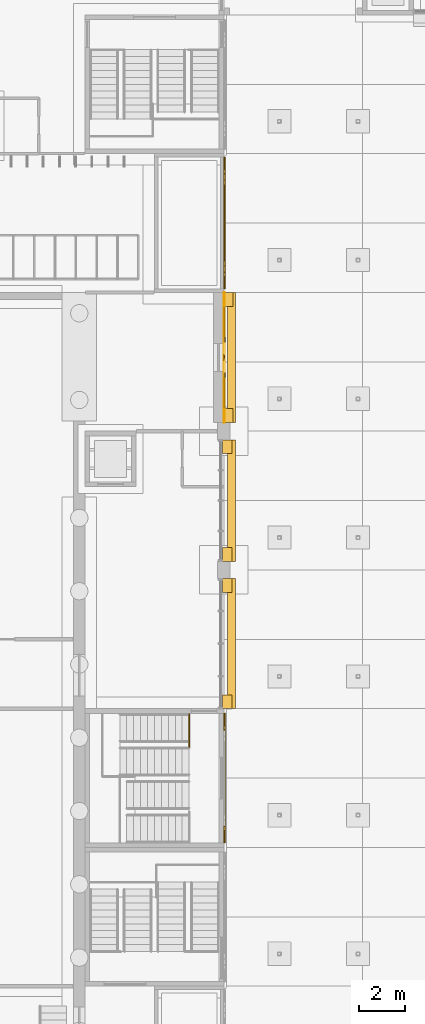
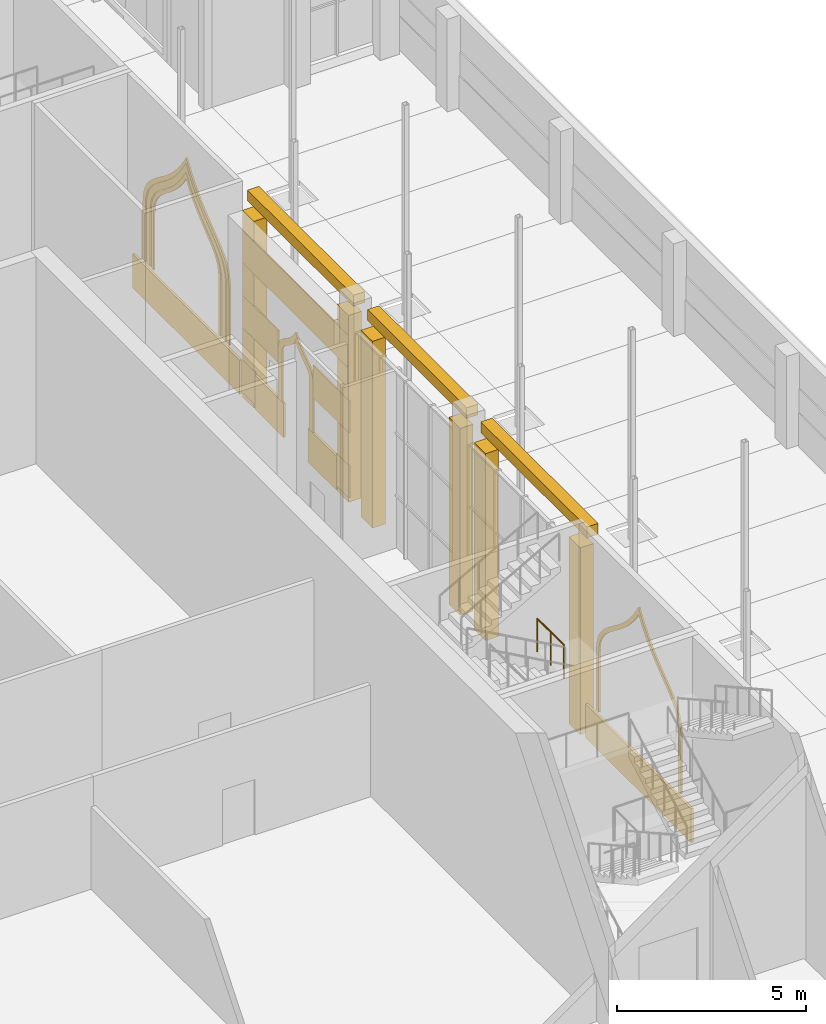
# One storey, part 81 of 95: 23 coverings, 1 railing.
"""IFC4 building model written with IfcOpenShell, lengths in metres."""

from ifc_helpers import new_model, si_unit, direction, frame, origin, origin_2d, place, context, subcontext, project, spatial, polyline, rectangle, circle, outline, extrude, material, layer, layer_set, type_object, element, save


model = new_model("IFC4")

# Units and contexts
model_context = context("Model", 3, precision=1e-05, world=origin(), true_north=direction((0.0, 1.0)))
body_context = subcontext(model_context, "Body", "Model", "MODEL_VIEW")
ifc_project = project(units=[si_unit("LENGTHUNIT", "METRE"), si_unit("AREAUNIT", "SQUARE_METRE"), si_unit("VOLUMEUNIT", "CUBIC_METRE"), si_unit("PLANEANGLEUNIT", "RADIAN"), si_unit("MASSUNIT", "GRAM", prefix="KILO")], contexts=[model_context])

# Site, building, storey
site_placement = place(None, origin())
site = spatial("IfcSite", under=ifc_project, at=site_placement, CompositionType="ELEMENT")
building_placement = place(site_placement, origin())
building = spatial("IfcBuilding", under=site, at=building_placement, Name="Saffron Lane Theatres", CompositionType="ELEMENT")
storey_placement = place(building_placement, origin())
storey = spatial("IfcBuildingStorey", under=building, at=storey_placement, Name="L00", CompositionType="ELEMENT", Elevation=0.0)

# Coverings
ifc_material_1 = material(Name="Masonry sandstone", Category="masonry")
ifc_layer_1 = layer(ifc_material_1, 0.050048828125)
ifc_layer_set_1 = layer_set([ifc_layer_1], Name="Masonry sandstone")
covering_type_1 = type_object("IfcCoveringType", Name="EX-ARCH FRAME RING SANDSTONE 50", PredefinedType="CLADDING", material=ifc_layer_set_1)
covering_1_placement = place(storey_placement, frame((54.0, 66.75, 3.12890625), z_axis=(-1.0, 0.0, 0.0), x_axis=(0.0, 0.063067105822, 0.998009288616)))
element("IfcCovering", 1, at=covering_1_placement, inside=storey, type_object=covering_type_1, Name="Arch recess ring L00", PredefinedType="CLADDING", context=body_context, shape_type="SweptSolid", body=[
    extrude(outline(polyline([(0.0, 0.0), (0.22065410238359984, 0.0), (0.4187134265220611, 0.029560004583244877), (0.5977096136465027, 0.08649981821842359), (0.7591480818830546, 0.16754415025789063), (0.9059345880561891, 0.2683507081522934), (1.0436269965020135, 0.3878343914866551), (1.1763647343450248, 0.5218195761099406), (1.3079077001851873, 0.667867014636728), (1.443005808311013, 0.823719525322545), (1.5854805462929957, 0.9879124792278838), (1.74149756436062, 1.1573653473180439), (1.9128829214646568, 1.3300057147601387), (2.1051636874559483, 1.5042611719162358), (2.322602467400049, 1.6779053315271268), (2.5687309025280785, 1.848757998061501), (2.939299582482729, 2.0687451567247677), (2.5993714153662166, 2.333630674903618), (2.376708378009706, 2.5341076362624033), (2.1828581737781825, 2.733742341436499), (2.0140428055584096, 2.9308165121735614), (1.8657533124027184, 3.1236580619491425), (1.7323086520339435, 3.311402854286392), (1.6116364096191989, 3.4922248302345396), (1.4972321955910908, 3.6638441173757603), (1.3851205499528025, 3.825288798534778), (1.2703052025337076, 3.97491758167241), (1.1487491043664604, 4.110783931167464), (1.0158201165623333, 4.229266523603667), (0.8658679913294249, 4.329988531727124), (0.6954634655937679, 4.409007991296922), (0.5027007929207938, 4.463265173062263), (0.2838019761972683, 4.491041798770807), (-1.59136391374089, 4.609538978068451), (-1.6001865337691579, 4.469924885691299), (0.27108088238534517, 4.35167406227577), (0.47394468647918964, 4.32564461841539), (0.6469894341356787, 4.276792138941024), (0.7970093612615814, 4.208112062862302), (0.9298059868044842, 4.1185038925216135), (1.0502089125366965, 4.010842590258167), (1.1633656797845302, 3.885292123199643), (1.2717436291480344, 3.7421858281426754), (1.3819241364077643, 3.585021850562481), (1.4954153209604875, 3.414438770837703), (1.618203468665377, 3.2322599466484734), (1.7523763915979502, 3.0405550915570396), (1.9052310321305657, 2.842532504699245), (2.0797528345714937, 2.638982037609416), (2.279081215655327, 2.4331300879366635), (2.509399924124821, 2.2260536522840537), (2.691990151832101, 2.0843733579964816), (2.493017257964128, 1.9668051456709819), (2.238463289591504, 1.7903692228565102), (2.0148072651487468, 1.6112468863933098), (1.816050202804688, 1.4312849950160573), (1.639483808618438, 1.2540794801970379), (1.4822458162227838, 1.080789727293752), (1.3375012005243339, 0.9155170755147108), (1.203439299814951, 0.7605775943042786), (1.0743509786028422, 0.6185337089889347), (0.9488205009470336, 0.4902087668589081), (0.820759202831201, 0.3799015700062919), (0.6877613326258244, 0.28825340008036515), (0.5447409379751207, 0.21607490839936183), (0.3872687454152185, 0.16682615252251398), (0.2094508525427381, 0.1401457024385599), (0.004924146244612728, 0.13986044825926805), (-1.8663432699098903, 0.2581112716747965), (-1.8751658899381582, 0.11849717929764414), (0.0, 0.0)])), origin(), (0.0, 0.0, -1.0), 0.050048828125),
])
covering_2_placement = place(storey_placement, frame((54.0, 91.159912109375, 3.06396484375), z_axis=(-1.0, 0.0, 0.0), x_axis=(0.0, 0.065135536954, 0.99787642613)))
element("IfcCovering", 2, at=covering_2_placement, inside=storey, type_object=covering_type_1, Name="Arch recess ring L00", PredefinedType="CLADDING", context=body_context, shape_type="SweptSolid", body=[
    extrude(outline(polyline([(0.0, 0.0), (0.18740969708573668, 0.0), (0.3572321631047603, 0.02292274751170524), (0.5096633135393143, 0.0680214737813698), (0.6479866409846596, 0.1331245701843867), (0.7746911625902068, 0.21513364609086122), (0.8923772111202771, 0.31265566609133544), (1.0056627943706078, 0.421474630782208), (1.1186258803823106, 0.5403457135441597), (1.2340627174019505, 0.6671291102139867), (1.3560512734706387, 0.8005799941723697), (1.489241360845516, 0.9369696103644035), (1.6356932725362778, 1.0778760961649128), (1.8002845407437116, 1.219311172113942), (1.9859068270985913, 1.3605967670943766), (2.197289455011565, 1.499222236923052), (2.5188026636036778, 1.6795910623433596), (2.223464526746356, 1.9002243359000532), (2.031896078287544, 2.0651520953091325), (1.8662151892324383, 2.2293687069612367), (1.721406296017763, 2.390999615901266), (1.5945141280899375, 2.5497484045489407), (1.4801840863271272, 2.702294687133774), (1.3765785089494589, 2.850471036721815), (1.2786023212401476, 2.991184787486221), (1.1820503373124693, 3.1237317886515266), (1.0838718732286343, 3.2463538895913655), (0.9798617431019176, 3.3583469395302727), (0.8648930677541324, 3.4561310282927087), (0.736206492113941, 3.538662969544651), (0.5909313454950954, 3.603194221731639), (0.4255296996111094, 3.6479984386887105), (0.23971022559553018, 3.6723606561235225), (-1.5704025298109825, 3.790514230236219), (-1.578226427316157, 3.670652120456945), (0.22798837330078578, 3.5527529820354737), (0.4029243606242076, 3.5303244758539734), (0.5504887923748518, 3.4896204900609957), (0.6791556492489732, 3.433023814904865), (0.7935060458670814, 3.359501441479207), (0.8961511285103747, 3.2715741913948344), (0.9936209891941478, 3.168081837899761), (1.087001432230704, 3.0506661272916173), (1.179925799290739, 2.9225151387814554), (1.2779019870000503, 2.781801388017049), (1.3824184441523049, 2.63258694080881), (1.4994016140853654, 2.4757082544916393), (1.6301809232858842, 2.3127911731324673), (1.7786174333682025, 2.146764251537295), (1.9510453208653722, 1.977214031707883), (2.148386279068856, 1.807016273044302), (2.299299084516024, 1.693918972205478), (2.1349647963567273, 1.601399157894491), (1.917173569471019, 1.4582988003463928), (1.7241681954460124, 1.3126019265693414), (1.555408634527082, 1.1672797093476193), (1.4045607101811768, 1.022745606679467), (1.2681768187921953, 0.882405240291934), (1.1451501651033085, 0.7480434765589647), (1.0297133280836688, 0.6212600798891378), (0.9209185347834625, 0.506276138399879), (0.8130670618084738, 0.4019956703512356), (0.7029708299476508, 0.31205201741390365), (0.5897666661185121, 0.2382141437311261), (0.46682906492155385, 0.18018054300880101), (0.3318967291510122, 0.14079008147177352), (0.18029313080216816, 0.11961403498032923), (0.00392594271560465, 0.12011654547049896), (-1.802288857901338, 0.23801568389197042), (-1.8101127554065126, 0.11815357411269665), (0.0, 0.0)])), origin(), (0.0, 0.0, -1.0), 0.050048828125),
])
covering_3_placement = place(storey_placement, frame((54.0, 90.89990234375, 3.06494140625), z_axis=(-1.0, 0.0, 0.0), x_axis=(0.0, 0.062958960636, 0.998016116741)))
element("IfcCovering", 3, at=covering_3_placement, inside=storey, type_object=covering_type_1, Name="Arch recess ring L00", PredefinedType="CLADDING", context=body_context, shape_type="SweptSolid", body=[
    extrude(outline(polyline([(0.0, 0.0), (0.2093997997570811, -1.734723475976807e-18), (0.40049520623693485, 0.02781894323655621), (0.5733915381580723, 0.08124855236315773), (0.7293201705915178, 0.1565417581622911), (0.8716461789162931, 0.2527524000384675), (1.0029091674744415, 0.3636046209491667), (1.1279361493159927, 0.48806003525890634), (1.252618710483494, 0.6225668403471962), (1.379072903283463, 0.7657684172615393), (1.512795226241438, 0.9156056427324515), (1.65780486937195, 1.0698679622519405), (1.8169488538170204, 1.2271526443475127), (1.9962571031791871, 1.3861007929051896), (2.1975097884464723, 1.5439092221414654), (2.4267060915414165, 1.6987317233853592), (2.8199923738188595, 1.9263755716404125), (2.4584315052991785, 2.2016382822121074), (2.2505084447627337, 2.3840360704140555), (2.070682710453937, 2.565884493408636), (1.9127706703702612, 2.746105884524812), (1.7746539950437077, 2.9221429914190615), (1.650179794151747, 3.0934054599773515), (1.5363473381523691, 3.2588594588871618), (1.42889150359106, 3.416817042200464), (1.3221006001822966, 3.5659261452877242), (1.2137048672195723, 3.705106824316425), (1.0974130768203678, 3.831575818666023), (0.9683059908946601, 3.9449095763009914), (0.82307546310046, 4.039201140338784), (0.6582641930187523, 4.113934733703883), (0.472179680378545, 4.165547737258761), (0.2644399313413468, 4.1918626153369045), (-1.5469008430375506, 4.306129439888844), (-1.5595049318366616, 4.106331291517753), (0.24598809185820394, 3.9924333671257872), (0.4328502551442822, 3.968658662680057), (0.5903700541628006, 3.925697164883087), (0.7268932857428001, 3.8640008902889207), (0.8471723858957974, 3.7852270431655883), (0.9573141324243244, 3.6892350087916186), (1.0611862841044049, 3.5752915411700266), (1.1623691080750453, 3.4458616676043414), (1.2643506464352592, 3.3019484777270853), (1.3719294477165596, 3.145940144641794), (1.4866135621099514, 2.978475412143977), (1.6146173632979592, 2.8011192594616725), (1.7594157997010786, 2.6185449912449217), (1.923886634141329, 2.4298371885782326), (2.1141235507427245, 2.238525451757653), (2.33152928097776, 2.047456801925205), (2.460599363029396, 1.9490475606388131), (2.32018560105856, 1.8676384683912226), (2.080492152825097, 1.7054055143967404), (1.8677215847852908, 1.5395171469343678), (1.680901548986617, 1.3739487206601206), (1.5142457781050391, 1.2100437608479786), (1.364968734358532, 1.0501796240844403), (1.2301488195665604, 0.8984546317455133), (1.1038175934865828, 0.7572023050591807), (0.9845592309675877, 0.6272458379009401), (0.8679133419580379, 0.5115574952942858), (0.7506070761189052, 0.4125453755057145), (0.6292138747111717, 0.3301810140167095), (0.4999889456788056, 0.26714690705226696), (0.3567947695392767, 0.22309635677685571), (0.195124843721051, 0.2002706593784658), (0.006756338115078975, 0.2001670485310657), (-1.7987366855797864, 0.31406497292303154), (-1.8113407743788974, 0.1142668245519398), (0.0, 0.0)])), origin(), (0.0, 0.0, -1.0), 0.050048828125),
])
covering_4_placement = place(storey_placement, frame((54.0, 90.699951171875, 3.06396484375), z_axis=(-1.0, 0.0, 0.0), x_axis=(0.0, 0.06709359494, 0.997746686047)))
element("IfcCovering", 4, at=covering_4_placement, inside=storey, type_object=covering_type_1, Name="Arch recess ring L00", PredefinedType="CLADDING", context=body_context, shape_type="SweptSolid", body=[
    extrude(outline(polyline([(0.0, 0.0), (0.22560601743694642, 0.0), (0.42889840536333734, 0.02841660189557326), (0.6110951162767889, 0.08516790432570873), (0.7768877771735412, 0.16724680635160669), (0.9281902379218655, 0.27036484703155256), (1.0697432663346085, 0.3922456969253163), (1.2051658457767045, 0.5284862331857677), (1.3404822176474245, 0.6777025870097586), (1.479393266672714, 0.8367095880477752), (1.627126941664466, 1.0031981463151827), (1.7870116082549947, 1.175720985503534), (1.963073643030779, 1.3522945074887294), (2.161449835712996, 1.5295697391992324), (2.3850305117515207, 1.7068629363695702), (2.63819818655426, 1.8802090163350522), (3.015776142316312, 2.102447038448873), (2.671351857491538, 2.3732361873700505), (2.4436718862354403, 2.5789169246626997), (2.2458409980987932, 2.7845479927428642), (2.072985269507623, 2.9867867592895387), (1.9221488539232454, 3.1853426065701025), (1.7868018350916308, 3.3777183356675358), (1.6626885126154687, 3.5624872777126115), (1.5463167181404232, 3.7386608040185467), (1.4321964184993656, 3.904650556577603), (1.316233602433498, 4.057795533750737), (1.192272986365931, 4.197530880344912), (1.056138657676855, 4.319977642223469), (0.9028277641981886, 4.423514700834265), (0.7298695268067847, 4.504148440135225), (0.5322119525179547, 4.55952697007564), (0.30863708883408264, 4.58973219201652), (-1.5012403226234452, 4.711437614478957), (-1.510642598867515, 4.571616667752628), (0.2953373645976413, 4.450173329645426), (0.5029826777628007, 4.423241520165602), (0.6798880323590603, 4.372194779628856), (0.8334123977722331, 4.300942709132744), (0.969678297034804, 4.209562982871254), (1.0923559679118238, 4.098053487260878), (1.2079753266573225, 3.9689114212186363), (1.319475839537781, 3.822183811977627), (1.4309351375397954, 3.6602880706773684), (1.5463980911055568, 3.4851544274583355), (1.6711111429026708, 3.298387620600467), (1.8091683041899354, 3.1026486517428054), (1.9640617433216867, 2.8989261495721372), (2.141396155370469, 2.690513605592861), (2.345703591777519, 2.479308489401047), (2.5809470216240187, 2.2660230786395514), (2.768531785300243, 2.119073014734118), (2.5629614827459894, 1.9985607101630554), (2.3012802935651195, 1.8186910546940729), (2.0705350978236985, 1.6367411046554097), (1.8668939686181638, 1.4539473064003936), (1.6861196994069172, 1.2727968193243737), (1.5230990032834812, 1.0973038669086468), (1.3745035146155418, 0.9289157254616602), (1.236632348677154, 0.7708175653329278), (1.1045011471559478, 0.6253020962348819), (0.9743598845093718, 0.4948237170184666), (0.8424912957392786, 0.38232400753367307), (0.7059886751235918, 0.288243121546451), (0.5587152329411341, 0.2159300321283364), (0.39703349197125964, 0.16587403386188582), (0.21488645027029224, 0.13897181455120095), (0.005504828251698287, 0.14008303108156392), (-1.800475135213458, 0.2615263691887653), (-1.8098774114575278, 0.12170542246243679), (0.0, 0.0)])), origin(), (0.0, 0.0, -1.0), 0.050048828125),
])
ifc_material_2 = material(Name="Face brick cladding, pale buff", Category="masonry")
ifc_layer_2 = layer(ifc_material_2, 0.0400390625)
ifc_layer_set_2 = layer_set([ifc_layer_2], Name="Face brick cladding, pale buff")
covering_type_2 = type_object("IfcCoveringType", Name="EX-FACE BRICK CLADDING PALE BUFF 40", PredefinedType="CLADDING", material=ifc_layer_set_2)
for number, where, z_axis, x_axis, name in (
    (5, (54.02001953125, 89.675048828125, 0.14990234375), (0.0, 0.0, 1.0), (0.0, -1.0, 0.0), "Cladding course L00"),
    (6, (54.02001953125, 84.699951171875, 0.14990234375), (0.0, 0.0, 1.0), (0.0, -1.0, 0.0), "Cladding course L00"),
):
    element("IfcCovering", number, at=place(storey_placement, frame(where, z_axis=z_axis, x_axis=x_axis)), inside=storey, type_object=covering_type_2, Name=name, PredefinedType="CLADDING", context=body_context, shape_type="SweptSolid", body=[
        extrude(rectangle(XDim=0.64990234375, YDim=0.0400390625, at=origin_2d()), origin(), (0.0, 0.0, 1.0), 1.050048828125),
    ])
covering_5_placement = place(storey_placement, frame((54.02001953125, 89.053955078125, 2.25), z_axis=(0.0, 0.0, 1.0), x_axis=(0.0, -1.0, 0.0)))
element("IfcCovering", 7, at=covering_5_placement, inside=storey, type_object=covering_type_2, Name="Cladding course L00", PredefinedType="CLADDING", context=body_context, shape_type="SweptSolid", body=[
    extrude(rectangle(XDim=1.89208984375, YDim=0.0400390625, at=origin_2d()), origin(), (0.0, 0.0, 1.0), 1.050048828125),
])
covering_6_placement = place(storey_placement, frame((54.02001953125, 85.321044921875, 2.25), z_axis=(0.0, 0.0, 1.0), x_axis=(0.0, -1.0, 0.0)))
element("IfcCovering", 8, at=covering_6_placement, inside=storey, type_object=covering_type_2, Name="Cladding course L00", PredefinedType="CLADDING", context=body_context, shape_type="SweptSolid", body=[
    extrude(rectangle(XDim=1.89306640625, YDim=0.0400390625, at=origin_2d()), origin(), (0.0, 0.0, 1.0), 1.050048828125),
])
covering_7_placement = place(storey_placement, frame((54.02001953125, 87.18798828125, 4.35009765625), z_axis=(0.0, 0.0, 1.0), x_axis=(0.0, -1.0, 0.0)))
element("IfcCovering", 9, at=covering_7_placement, inside=storey, type_object=covering_type_2, Name="Cladding course L00", PredefinedType="CLADDING", context=body_context, shape_type="SweptSolid", body=[
    extrude(rectangle(XDim=5.625, YDim=0.0400390625, at=origin_2d()), origin(), (0.0, 0.0, 1.0), 1.050048828125),
])
ifc_material_3 = material(Name="Masonry sandstone", Category="masonry")
ifc_layer_3 = layer(ifc_material_3, 0.050048828125)
ifc_layer_set_3 = layer_set([ifc_layer_3], Name="Masonry sandstone")
covering_type_3 = type_object("IfcCoveringType", Name="EX-HOOD RING SANDSTONE 50", PredefinedType="CLADDING", material=ifc_layer_set_3)
covering_8_placement = place(storey_placement, frame((54.0, 88.10205078125, 2.8359375), z_axis=(-1.0, 0.0, 0.0), x_axis=(0.0, 0.071247049988, -0.997458699831)))
element("IfcCovering", 10, at=covering_8_placement, inside=storey, type_object=covering_type_3, Name="Window hood ring L00", PredefinedType="CLADDING", context=body_context, shape_type="SweptSolid", body=[
    extrude(outline(polyline([(0.0, 0.0), (0.08224024715401289, 8.673617379884035e-19), (1.7318460168447842, 0.11782898354934081), (1.717600085707065, 0.3172720194774101), (0.07578696210872127, 0.19999965350609988), (0.016750710238856686, 0.2006780311793246), (-0.02908326845209593, 0.20841849437381185), (-0.06902057967578747, 0.222699214110158), (-0.10669663198872992, 0.24301575570827286), (-0.14372909522707455, 0.27145543508577097), (-0.18164866773040536, 0.30888796720832506), (-0.2217773162465449, 0.3532608247569475), (-0.2636801832926568, 0.4053393569014303), (-0.3089401501062654, 0.4632971622138607), (-0.358444325952357, 0.525847062545043), (-0.4133581288849328, 0.5921715258272451), (-0.4753688059373981, 0.6619052717748842), (-0.5454852264699331, 0.7320390866067327), (-0.6249945686317337, 0.8034600795877769), (-0.7065564381125219, 0.865923008422392), (-0.6347701648458952, 0.9403184265860369), (-0.5662192312515709, 1.0223151535496615), (-0.5067829104974969, 1.1017027356162676), (-0.4552436016317312, 1.1785681442824232), (-0.4103837037023321, 1.2529983510446951), (-0.37027244948550603, 1.3219493535232287), (-0.33370963232862466, 1.38575164340498), (-0.2996341999735673, 1.4432571969352603), (-0.2662197509924212, 1.4928831328765462), (-0.23400550866390343, 1.535325223201375), (-0.20139119745117623, 1.5687396721825213), (-0.16698527340916322, 1.5942049263774187), (-0.1294831640893553, 1.6140170332954433), (-0.08521467233661362, 1.6281933872359087), (-0.026804615242033397, 1.636281736416665), (1.6150085083563102, 1.7535541023879753), (1.600762577218591, 1.9529971383160447), (-0.04884319247218025, 1.8351681547667038), (-0.13024851325914732, 1.8234791856280623), (-0.20681821883697404, 1.7989184349974647), (-0.2755430954244328, 1.7639037104794806), (-0.33447498149841665, 1.7185741664686183), (-0.3848662666094943, 1.6667565488138374), (-0.4287520837773401, 1.609529304072572), (-0.46877636649759885, 1.5496407315363483), (-0.5063828416132875, 1.4867429452188967), (-0.5438501623344685, 1.4218969973783384), (-0.5821524094226953, 1.355033310817419), (-0.624281402359882, 1.2869172347059314), (-0.6703936898398499, 1.2163137737926195), (-0.7236550343376478, 1.1464234791511592), (-0.7836479726697523, 1.0748285431769806), (-0.8526685523455397, 1.0028335383185922), (-1.03262997304254, 0.8426320416416764), (-0.8317258159721406, 0.7096352290910034), (-0.7532427374698338, 0.649155250378122), (-0.6836829345153292, 0.5868140816387011), (-0.6209590911910123, 0.5242293927088918), (-0.5653495162858982, 0.4618708296701574), (-0.5139667561139537, 0.4004341644950361), (-0.46654989618547665, 0.33969327129245297), (-0.42017669421580695, 0.27985688165416944), (-0.37408180103515254, 0.22391681506209982), (-0.32595177483482396, 0.17032497887734646), (-0.27437767737043134, 0.11991629946695533), (-0.21713303832985256, 0.07578696210872127), (-0.152356667686548, 0.03929372214909371), (-0.07928321627072563, 0.013428399069986875), (0.0, 0.0)])), origin(), (0.0, 0.0, -1.0), 0.050048828125),
])
ifc_material_4 = material(Name="Masonry sandstone", Category="masonry")
ifc_layer_4 = layer(ifc_material_4, 0.39990234375)
ifc_layer_set_4 = layer_set([ifc_layer_4], Name="Masonry sandstone")
covering_type_4 = type_object("IfcCoveringType", Name="EX-PILASTER PIER SANDSTONE 400", PredefinedType="CLADDING", material=ifc_layer_set_4)
for number, where, z_axis, x_axis, name in (
    (11, (54.199951171875, 89.699951171875, 0.0), (0.0, 0.0, 1.0), (0.0, -1.0, 0.0), "Pilaster pier L00"),
    (12, (54.199951171875, 84.675048828125, 0.0), (0.0, 0.0, 1.0), (0.0, -1.0, 0.0), "Pilaster pier L00"),
    (13, (54.14990234375, 83.324951171875, 0.0), (0.0, 0.0, 1.0), (0.0, -1.0, 0.0), "Pilaster pier L00"),
    (14, (54.14990234375, 78.675048828125, 0.0), (0.0, 0.0, 1.0), (0.0, -1.0, 0.0), "Pilaster pier L00"),
    (15, (54.14990234375, 77.324951171875, 0.0), (0.0, 0.0, 1.0), (0.0, -1.0, 0.0), "Pilaster pier L00"),
    (16, (54.14990234375, 72.300048828125, 0.0), (0.0, 0.0, 1.0), (0.0, -1.0, 0.0), "Pilaster pier L00"),
):
    element("IfcCovering", number, at=place(storey_placement, frame(where, z_axis=z_axis, x_axis=x_axis)), inside=storey, type_object=covering_type_4, Name=name, PredefinedType="CLADDING", context=body_context, shape_type="SweptSolid", body=[
        extrude(rectangle(XDim=0.60009765625, YDim=0.39990234375, at=origin_2d()), origin(), (0.0, 0.0, 1.0), 6.050048828125),
    ])
ifc_material_5 = material(Name="Masonry sandstone", Category="masonry")
ifc_layer_5 = layer(ifc_material_5, 0.070068359375)
ifc_layer_set_5 = layer_set([ifc_layer_5], Name="Masonry sandstone")
covering_type_5 = type_object("IfcCoveringType", Name="EX-PLINTH COURSE SANDSTONE 70", PredefinedType="CLADDING", material=ifc_layer_set_5)
covering_9_placement = place(storey_placement, frame((54.034912109375, 88.593994140625, 0.0), z_axis=(0.0, 0.0, 1.0), x_axis=(0.0, -1.0, 0.0)))
element("IfcCovering", 17, at=covering_9_placement, inside=storey, type_object=covering_type_5, Name="Plinth course L00", PredefinedType="CLADDING", context=body_context, shape_type="SweptSolid", body=[
    extrude(rectangle(XDim=1.511962890625, YDim=0.070068359375, at=origin_2d()), origin(), (0.0, 0.0, 1.0), 1.10009765625),
])
covering_10_placement = place(storey_placement, frame((54.034912109375, 85.781005859375, 0.0), z_axis=(0.0, 0.0, 1.0), x_axis=(0.0, -1.0, 0.0)))
element("IfcCovering", 18, at=covering_10_placement, inside=storey, type_object=covering_type_5, Name="Plinth course L00", PredefinedType="CLADDING", context=body_context, shape_type="SweptSolid", body=[
    extrude(rectangle(XDim=1.512939453125, YDim=0.070068359375, at=origin_2d()), origin(), (0.0, 0.0, 1.0), 1.10009765625),
])
covering_11_placement = place(storey_placement, frame((54.034912109375, 69.0, 0.0), z_axis=(0.0, 0.0, 1.0), x_axis=(0.0, 1.0, 0.0)))
element("IfcCovering", 19, at=covering_11_placement, inside=storey, type_object=covering_type_5, Name="Plinth course L00", PredefinedType="CLADDING", context=body_context, shape_type="SweptSolid", body=[
    extrude(rectangle(XDim=5.60009765625, YDim=0.070068359375, at=origin_2d()), origin(), (0.0, 0.0, 1.0), 1.10009765625),
])
covering_12_placement = place(storey_placement, frame((54.034912109375, 93.0, 0.0), z_axis=(0.0, 0.0, 1.0), x_axis=(0.0, 1.0, 0.0)))
element("IfcCovering", 20, at=covering_12_placement, inside=storey, type_object=covering_type_5, Name="Plinth course L00", PredefinedType="CLADDING", context=body_context, shape_type="SweptSolid", body=[
    extrude(rectangle(XDim=5.699951171875, YDim=0.070068359375, at=origin_2d()), origin(), (0.0, 0.0, 1.0), 1.10009765625),
])
ifc_material_6 = material(Name="Masonry sandstone", Category="masonry")
ifc_layer_6 = layer(ifc_material_6, 0.300048828125)
ifc_layer_set_6 = layer_set([ifc_layer_6], Name="Masonry sandstone")
covering_type_6 = type_object("IfcCoveringType", Name="EX-STRING COURSE SANDSTONE 350", PredefinedType="CLADDING", material=ifc_layer_set_6)
covering_13_placement = place(storey_placement, frame((54.324951171875, 87.18798828125, 6.300048828125), z_axis=(0.0, 0.0, 1.0), x_axis=(0.0, -1.0, 0.0)))
element("IfcCovering", 21, at=covering_13_placement, inside=storey, type_object=covering_type_6, Name="String course L00", PredefinedType="CLADDING", context=body_context, shape_type="SweptSolid", body=[
    extrude(rectangle(XDim=5.625, YDim=0.35009765625, at=origin_2d()), origin(), (0.0, 0.0, 1.0), 0.35009765625),
])
covering_14_placement = place(storey_placement, frame((54.324951171875, 81.0, 6.300048828125), z_axis=(0.0, 0.0, 1.0), x_axis=(0.0, -1.0, 0.0)))
element("IfcCovering", 22, at=covering_14_placement, inside=storey, type_object=covering_type_6, Name="String course L00", PredefinedType="CLADDING", context=body_context, shape_type="SweptSolid", body=[
    extrude(rectangle(XDim=5.25, YDim=0.35009765625, at=origin_2d()), origin(), (0.0, 0.0, 1.0), 0.35009765625),
])
covering_15_placement = place(storey_placement, frame((54.324951171875, 74.81201171875, 6.300048828125), z_axis=(0.0, 0.0, 1.0), x_axis=(0.0, -1.0, 0.0)))
element("IfcCovering", 23, at=covering_15_placement, inside=storey, type_object=covering_type_6, Name="String course L00", PredefinedType="CLADDING", context=body_context, shape_type="SweptSolid", body=[
    extrude(rectangle(XDim=5.625, YDim=0.35009765625, at=origin_2d()), origin(), (0.0, 0.0, 1.0), 0.35009765625),
])

# Railing
ifc_material_7 = material(Name="Steel Grade 350", Category="steel")
railing_type = type_object("IfcRailingType", Name="VC-GUARD 1100", PredefinedType="GUARDRAIL", material=ifc_material_7)
railing_placement = place(storey_placement, frame((52.5, 70.35009765625, 3.333251953125)))
element("IfcRailing", 24, at=railing_placement, inside=storey, type_object=railing_type, Name="Auditorium East Rear Stair landing guard 1S2e", PredefinedType="GUARDRAIL", context=body_context, shape_type="SweptSolid", body=[
    extrude(circle(Radius=0.02392578125, at=origin_2d()), frame((0.0, 0.0, 1.076171875), z_axis=(0.0, 1.0, 0.0), x_axis=(-1.0, 0.0, 0.0)), (0.0, 0.0, 1.0), 1.419921875),
    extrude(circle(Radius=0.02099609375, at=origin_2d()), origin(), (0.0, 0.0, 1.0), 1.052001953125),
    extrude(circle(Radius=0.02099609375, at=origin_2d()), frame((0.0, 0.7099609375, 0.0)), (0.0, 0.0, 1.0), 1.052001953125),
    extrude(circle(Radius=0.02099609375, at=origin_2d()), frame((0.0, 1.419921875, 0.0)), (0.0, 0.0, 1.0), 1.052001953125),
])

save(model, "model.ifc")
